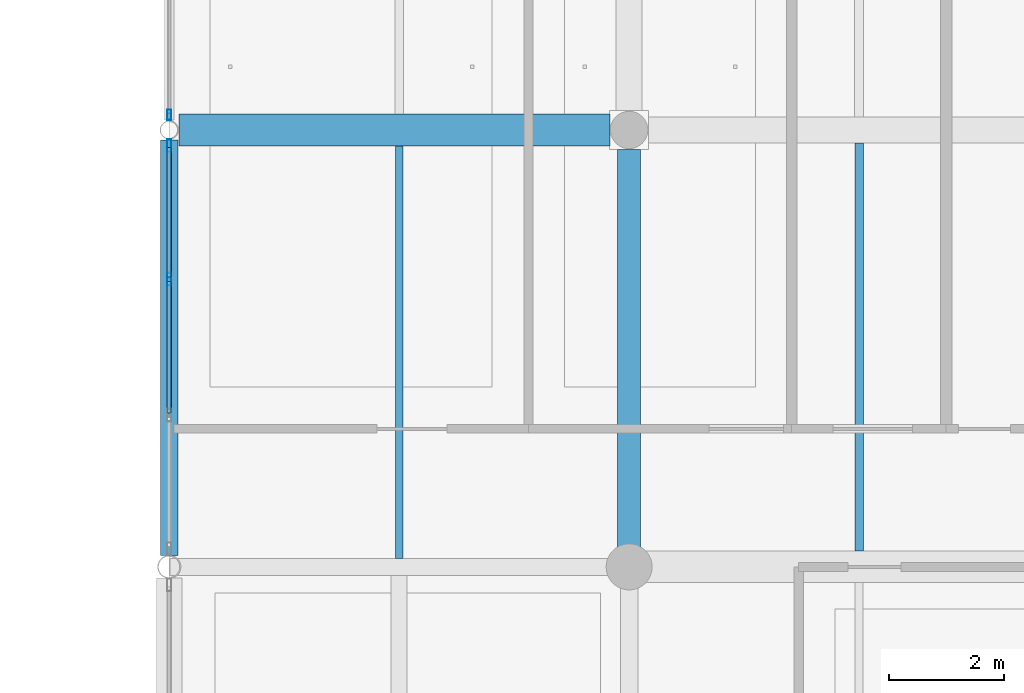
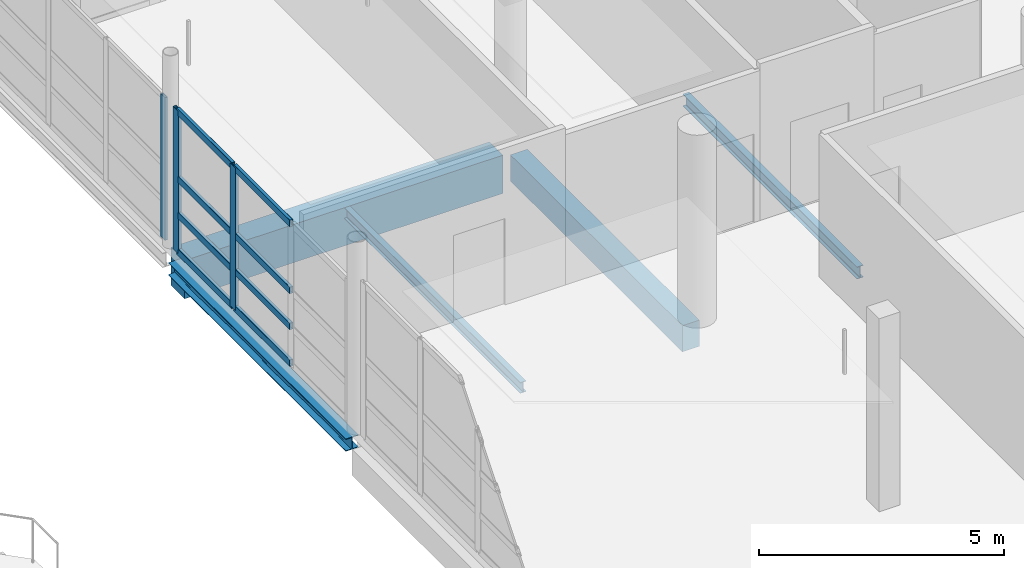
# One storey, part 43 of 147: 11 members, 5 beams, 2 elements without a shape of their own.
"""IFC4 building model written with IfcOpenShell, lengths in metres."""

from ifc_helpers import new_model, si_unit, direction, frame, origin, origin_2d, place, context, subcontext, project, spatial, rectangle, hollow_rectangle, i_section, extrude, material, material_profile, profile_set, type_object, element, aggregate, save


model = new_model("IFC4")

# Units and contexts
model_context = context("Model", 3, precision=1e-05, world=origin(), true_north=direction((0.0, 1.0)))
body_context = subcontext(model_context, "Body", "Model", "MODEL_VIEW")
ifc_project = project(units=[si_unit("LENGTHUNIT", "METRE"), si_unit("AREAUNIT", "SQUARE_METRE"), si_unit("VOLUMEUNIT", "CUBIC_METRE"), si_unit("PLANEANGLEUNIT", "RADIAN"), si_unit("MASSUNIT", "GRAM", prefix="KILO")], contexts=[model_context])

# Site, building, storey
site_placement = place(None, origin())
site = spatial("IfcSite", under=ifc_project, at=site_placement, CompositionType="ELEMENT")
building_placement = place(site_placement, origin())
building = spatial("IfcBuilding", under=site, at=building_placement, Name="Khelvaren Railside Concert Hall", CompositionType="ELEMENT")
storey_placement = place(building_placement, frame((0.0, 0.0, 5.39990234375)))
storey = spatial("IfcBuildingStorey", under=building, at=storey_placement, Name="L01", CompositionType="ELEMENT", Elevation=5.39990234375)

# Beam
ifc_material_1 = material(Name="Concrete C40/50", Category="concrete")
ifc_material_profile_1 = material_profile(ifc_material_1, rectangle(XDim=0.39990234375, YDim=0.64990234375, at=origin_2d()), Name="RCB 400x650")
ifc_profile_set_1 = profile_set([ifc_material_profile_1], Name="Concrete C40/50")
beam_type_1 = type_object("IfcBeamType", Name="BM33", PredefinedType="BEAM", material=ifc_profile_set_1)
beam_1_placement = place(storey_placement, frame((152.0, 23.050048828125, -0.625), z_axis=(0.0, 1.0, 0.0), x_axis=(-1.0, 0.0, 0.0)))
element("IfcBeam", 1, at=beam_1_placement, inside=storey, type_object=beam_type_1, Name="V2 L01 Beam Y2.4", PredefinedType="BEAM", context=body_context, shape_type="SweptSolid", body=[
    extrude(rectangle(XDim=0.39990234375, YDim=0.64990234375, at=origin_2d()), origin(), (0.0, 0.0, 1.0), 7.013916015625),
])

# Curtain wall, members
ifc_material_2 = material(Name="Triple-glazed solar-control glass", Category="glass")
curtain_wall_type_1 = type_object("IfcCurtainWallType", Name="CW88", PredefinedType="USERDEFINED", material=ifc_material_2)
curtain_wall_1_placement = place(storey_placement, origin())
curtain_wall_1 = element("IfcCurtainWall", 2, at=curtain_wall_1_placement, inside=storey, type_object=curtain_wall_type_1, Name="Unitised Curtain Wall CW-V2-L01-W-23", ObjectType="UNITISED CURTAIN WALL", PredefinedType="USERDEFINED")
ifc_material_3 = material(Name="Anodised architectural aluminium 6063-T6", Category="aluminium")
ifc_material_profile_2 = material_profile(ifc_material_3, hollow_rectangle(XDim=0.074951171875, YDim=0.219970703125, WallThickness=0.0048828125, InnerFilletRadius=0.0029296875, OuterFilletRadius=0.0048828125, at=origin_2d()), Name="CWM 75x220x5")
ifc_profile_set_2 = profile_set([ifc_material_profile_2], Name="Anodised architectural aluminium 6063-T6")
member_type_1 = type_object("IfcMemberType", Name="CWM13", PredefinedType="MULLION", material=ifc_profile_set_2)
member_1_placement = place(storey_placement, frame((144.0, 27.80224609375, 0.0), z_axis=(0.0, 0.0, 1.0), x_axis=(-1.0, 0.0, 0.0)))
member_1 = element("IfcMember", 3, at=member_1_placement, type_object=member_type_1, Name="CW88 mullion 3", PredefinedType="MULLION", context=body_context, shape_type="SweptSolid", body=[
    extrude(hollow_rectangle(XDim=0.074951171875, YDim=0.219970703125, WallThickness=0.0048828125, InnerFilletRadius=0.0029296875, OuterFilletRadius=0.0048828125, at=origin_2d()), origin(), (0.0, 0.0, 1.0), 3.550048828125),
])
member_2_placement = place(storey_placement, frame((144.0, 30.1279296875, 0.0), z_axis=(0.0, 0.0, 1.0), x_axis=(-1.0, 0.0, 0.0)))
member_2 = element("IfcMember", 4, at=member_2_placement, type_object=member_type_1, Name="CW88 mullion 4", PredefinedType="MULLION", context=body_context, shape_type="SweptSolid", body=[
    extrude(hollow_rectangle(XDim=0.074951171875, YDim=0.219970703125, WallThickness=0.0048828125, InnerFilletRadius=0.0029296875, OuterFilletRadius=0.0048828125, at=origin_2d()), origin(), (0.0, 0.0, 1.0), 3.550048828125),
])

# Curtain wall, member
ifc_material_4 = material(Name="Double-glazed low-E dark acoustic glass", Category="glass")
curtain_wall_type_2 = type_object("IfcCurtainWallType", Name="CW65", PredefinedType="USERDEFINED", material=ifc_material_4)
curtain_wall_2_placement = place(storey_placement, origin())
curtain_wall_2 = element("IfcCurtainWall", 5, at=curtain_wall_2_placement, inside=storey, type_object=curtain_wall_type_2, Name="Unitised Curtain Wall CW-V2-L01-W-30", ObjectType="UNITISED CURTAIN WALL", PredefinedType="USERDEFINED")
ifc_material_profile_3 = material_profile(ifc_material_3, hollow_rectangle(XDim=0.06494140625, YDim=0.179931640625, WallThickness=0.00390625, InnerFilletRadius=0.001953125, OuterFilletRadius=0.00390625, at=origin_2d()), Name="CWM 65x180x4")
ifc_profile_set_3 = profile_set([ifc_material_profile_3], Name="Anodised architectural aluminium 6063-T6")
member_type_2 = type_object("IfcMemberType", Name="CWM63", PredefinedType="MULLION", material=ifc_profile_set_3)
member_3_placement = place(storey_placement, frame((144.0, 30.662109375, 0.0), z_axis=(0.0, 0.0, 1.0), x_axis=(-1.0, 0.0, 0.0)))
member_3 = element("IfcMember", 6, at=member_3_placement, type_object=member_type_2, Name="CW65 mullion 1", PredefinedType="MULLION", context=body_context, shape_type="SweptSolid", body=[
    extrude(hollow_rectangle(XDim=0.06494140625, YDim=0.179931640625, WallThickness=0.00390625, InnerFilletRadius=0.001953125, OuterFilletRadius=0.00390625, at=origin_2d()), origin(), (0.0, 0.0, 1.0), 3.550048828125),
])
aggregate(curtain_wall_2, [member_3])

# Member
ifc_material_profile_4 = material_profile(ifc_material_3, hollow_rectangle(XDim=0.074951171875, YDim=0.1650390625, WallThickness=0.00390625, InnerFilletRadius=0.001953125, OuterFilletRadius=0.00390625, at=origin_2d()), Name="CWT 75x165x4")
ifc_profile_set_4 = profile_set([ifc_material_profile_4], Name="Anodised architectural aluminium 6063-T6")
member_type_3 = type_object("IfcMemberType", Name="CWT46", PredefinedType="USERDEFINED", material=ifc_profile_set_4)
member_4_placement = place(storey_placement, frame((144.0, 25.4765625, 0.03759765625), z_axis=(0.0, 1.0, 0.0), x_axis=(-1.0, 0.0, 0.0)))
member_4 = element("IfcMember", 7, at=member_4_placement, type_object=member_type_3, Name="CW88 transom 2.1", ObjectType="TRANSOM", PredefinedType="USERDEFINED", context=body_context, shape_type="SweptSolid", body=[
    extrude(hollow_rectangle(XDim=0.074951171875, YDim=0.1650390625, WallThickness=0.00390625, InnerFilletRadius=0.001953125, OuterFilletRadius=0.00390625, at=origin_2d()), origin(), (0.0, 0.0, 1.0), 2.2880859375),
])

member_5_placement = place(storey_placement, frame((144.0, 25.4765625, 0.9501953125), z_axis=(0.0, 1.0, 0.0), x_axis=(-1.0, 0.0, 0.0)))
member_5 = element("IfcMember", 8, at=member_5_placement, type_object=member_type_3, Name="CW88 transom 2.2", ObjectType="TRANSOM", PredefinedType="USERDEFINED", context=body_context, shape_type="SweptSolid", body=[
    extrude(hollow_rectangle(XDim=0.074951171875, YDim=0.1650390625, WallThickness=0.00390625, InnerFilletRadius=0.001953125, OuterFilletRadius=0.00390625, at=origin_2d()), origin(), (0.0, 0.0, 1.0), 2.2880859375),
])

member_6_placement = place(storey_placement, frame((144.0, 25.4765625, 1.84619140625), z_axis=(0.0, 1.0, 0.0), x_axis=(-1.0, 0.0, 0.0)))
member_6 = element("IfcMember", 9, at=member_6_placement, type_object=member_type_3, Name="CW88 transom 2.3", ObjectType="TRANSOM", PredefinedType="USERDEFINED", context=body_context, shape_type="SweptSolid", body=[
    extrude(hollow_rectangle(XDim=0.074951171875, YDim=0.1650390625, WallThickness=0.00390625, InnerFilletRadius=0.001953125, OuterFilletRadius=0.00390625, at=origin_2d()), origin(), (0.0, 0.0, 1.0), 2.2880859375),
])

member_7_placement = place(storey_placement, frame((144.0, 25.4765625, 3.5126953125), z_axis=(0.0, 1.0, 0.0), x_axis=(-1.0, 0.0, 0.0)))
member_7 = element("IfcMember", 10, at=member_7_placement, type_object=member_type_3, Name="CW88 transom 2.4", ObjectType="TRANSOM", PredefinedType="USERDEFINED", context=body_context, shape_type="SweptSolid", body=[
    extrude(hollow_rectangle(XDim=0.074951171875, YDim=0.1650390625, WallThickness=0.00390625, InnerFilletRadius=0.001953125, OuterFilletRadius=0.00390625, at=origin_2d()), origin(), (0.0, 0.0, 1.0), 2.2880859375),
])

member_8_placement = place(storey_placement, frame((144.0, 27.83984375, 0.03759765625), z_axis=(0.0, 1.0, 0.0), x_axis=(-1.0, 0.0, 0.0)))
member_8 = element("IfcMember", 11, at=member_8_placement, type_object=member_type_3, Name="CW88 transom 3.1", ObjectType="TRANSOM", PredefinedType="USERDEFINED", context=body_context, shape_type="SweptSolid", body=[
    extrude(hollow_rectangle(XDim=0.074951171875, YDim=0.1650390625, WallThickness=0.00390625, InnerFilletRadius=0.001953125, OuterFilletRadius=0.00390625, at=origin_2d()), origin(), (0.0, 0.0, 1.0), 2.250732421875),
])

member_9_placement = place(storey_placement, frame((144.0, 27.83984375, 0.9501953125), z_axis=(0.0, 1.0, 0.0), x_axis=(-1.0, 0.0, 0.0)))
member_9 = element("IfcMember", 12, at=member_9_placement, type_object=member_type_3, Name="CW88 transom 3.2", ObjectType="TRANSOM", PredefinedType="USERDEFINED", context=body_context, shape_type="SweptSolid", body=[
    extrude(hollow_rectangle(XDim=0.074951171875, YDim=0.1650390625, WallThickness=0.00390625, InnerFilletRadius=0.001953125, OuterFilletRadius=0.00390625, at=origin_2d()), origin(), (0.0, 0.0, 1.0), 2.250732421875),
])

member_10_placement = place(storey_placement, frame((144.0, 27.83984375, 1.84619140625), z_axis=(0.0, 1.0, 0.0), x_axis=(-1.0, 0.0, 0.0)))
member_10 = element("IfcMember", 13, at=member_10_placement, type_object=member_type_3, Name="CW88 transom 3.3", ObjectType="TRANSOM", PredefinedType="USERDEFINED", context=body_context, shape_type="SweptSolid", body=[
    extrude(hollow_rectangle(XDim=0.074951171875, YDim=0.1650390625, WallThickness=0.00390625, InnerFilletRadius=0.001953125, OuterFilletRadius=0.00390625, at=origin_2d()), origin(), (0.0, 0.0, 1.0), 2.250732421875),
])

member_11_placement = place(storey_placement, frame((144.0, 27.83984375, 3.5126953125), z_axis=(0.0, 1.0, 0.0), x_axis=(-1.0, 0.0, 0.0)))
member_11 = element("IfcMember", 14, at=member_11_placement, type_object=member_type_3, Name="CW88 transom 3.4", ObjectType="TRANSOM", PredefinedType="USERDEFINED", context=body_context, shape_type="SweptSolid", body=[
    extrude(hollow_rectangle(XDim=0.074951171875, YDim=0.1650390625, WallThickness=0.00390625, InnerFilletRadius=0.001953125, OuterFilletRadius=0.00390625, at=origin_2d()), origin(), (0.0, 0.0, 1.0), 2.250732421875),
])

aggregate(curtain_wall_1, [member_1, member_2, member_4, member_5, member_6, member_7, member_8, member_9, member_10, member_11])

# Beams
ifc_material_profile_5 = material_profile(ifc_material_1, rectangle(XDim=0.550048828125, YDim=0.949951171875, at=origin_2d()), Name="RCB 550x950")
ifc_profile_set_5 = profile_set([ifc_material_profile_5], Name="Concrete C40/50")
beam_type_2 = type_object("IfcBeamType", Name="GR57", PredefinedType="T_BEAM", material=ifc_profile_set_5)
beam_2_placement = place(storey_placement, frame((144.170654296875, 30.39990234375, -0.77490234375), z_axis=(1.0, 0.0, 0.0), x_axis=(0.0, 1.0, 0.0)))
element("IfcBeam", 15, at=beam_2_placement, inside=storey, type_object=beam_type_2, Name="V2 L01 T_Beam X5.1", PredefinedType="T_BEAM", context=body_context, shape_type="SweptSolid", body=[
    extrude(rectangle(XDim=0.550048828125, YDim=0.949951171875, at=origin_2d()), origin(), (0.0, 0.0, 1.0), 7.493408203125),
])
ifc_material_5 = material(Name="Steel S355", Category="steel")
ifc_material_profile_6 = material_profile(ifc_material_5, i_section(OverallWidth=0.14990234375, OverallDepth=0.300048828125, WebThickness=0.007080078125, FlangeThickness=0.0107421875, FilletRadius=0.014892578125, at=origin_2d()), Name="IPE 300")
ifc_profile_set_6 = profile_set([ifc_material_profile_6], Name="Steel S355")
beam_type_3 = type_object("IfcBeamType", Name="JS26", PredefinedType="JOIST", material=ifc_profile_set_6)
beam_3_placement = place(storey_placement, frame((156.0, 23.074951171875, -0.449951171875), z_axis=(0.0, 1.0, 0.0), x_axis=(-1.0, 0.0, 0.0)))
element("IfcBeam", 16, at=beam_3_placement, inside=storey, type_object=beam_type_3, Name="V2 L01 Secondary Joist 2.4", PredefinedType="JOIST", context=body_context, shape_type="SweptSolid", body=[
    extrude(i_section(OverallWidth=0.14990234375, OverallDepth=0.300048828125, WebThickness=0.007080078125, FlangeThickness=0.0107421875, FilletRadius=0.014892578125, at=origin_2d()), origin(), (0.0, 0.0, 1.0), 7.10009765625),
])
ifc_material_profile_7 = material_profile(ifc_material_5, i_section(OverallWidth=0.135009765625, OverallDepth=0.27001953125, WebThickness=0.006591796875, FlangeThickness=0.01025390625, FilletRadius=0.014892578125, at=origin_2d()), Name="IPE 270")
ifc_profile_set_7 = profile_set([ifc_material_profile_7], Name="Steel S355")
beam_type_4 = type_object("IfcBeamType", Name="JS78", PredefinedType="JOIST", material=ifc_profile_set_7)
beam_4_placement = place(storey_placement, frame((148.0, 22.949951171875, -0.434814453125), z_axis=(0.0, 1.0, 0.0), x_axis=(-1.0, 0.0, 0.0)))
element("IfcBeam", 17, at=beam_4_placement, inside=storey, type_object=beam_type_4, Name="V2 L01 Secondary Joist 1.4", PredefinedType="JOIST", context=body_context, shape_type="SweptSolid", body=[
    extrude(i_section(OverallWidth=0.135009765625, OverallDepth=0.27001953125, WebThickness=0.006591796875, FlangeThickness=0.01025390625, FilletRadius=0.014892578125, at=origin_2d()), origin(), (0.0, 0.0, 1.0), 7.175048828125),
])
ifc_material_profile_8 = material_profile(ifc_material_5, i_section(OverallWidth=0.300048828125, OverallDepth=0.31005859375, WebThickness=0.009033203125, FlangeThickness=0.015380859375, FilletRadius=0.027099609375, at=origin_2d()), Name="HEA 320")
ifc_profile_set_8 = profile_set([ifc_material_profile_8], Name="Steel S355")
beam_type_5 = type_object("IfcBeamType", Name="SP66", PredefinedType="SPANDREL", material=ifc_profile_set_8)
beam_5_placement = place(storey_placement, frame((144.0, 22.9951171875, -0.454833984375), z_axis=(0.0, 1.0, 0.0), x_axis=(-1.0, 0.0, 0.0)))
element("IfcBeam", 18, at=beam_5_placement, inside=storey, type_object=beam_type_5, Name="V2 L01 Spandrel Y1.4", PredefinedType="SPANDREL", context=body_context, shape_type="SweptSolid", body=[
    extrude(i_section(OverallWidth=0.300048828125, OverallDepth=0.31005859375, WebThickness=0.009033203125, FlangeThickness=0.015380859375, FilletRadius=0.027099609375, at=origin_2d()), origin(), (0.0, 0.0, 1.0), 7.234130859375),
])

save(model, "model.ifc")
